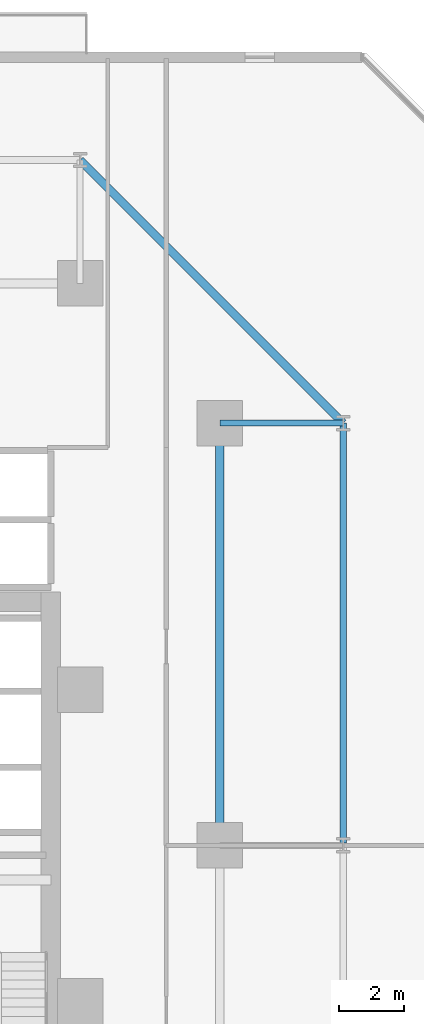
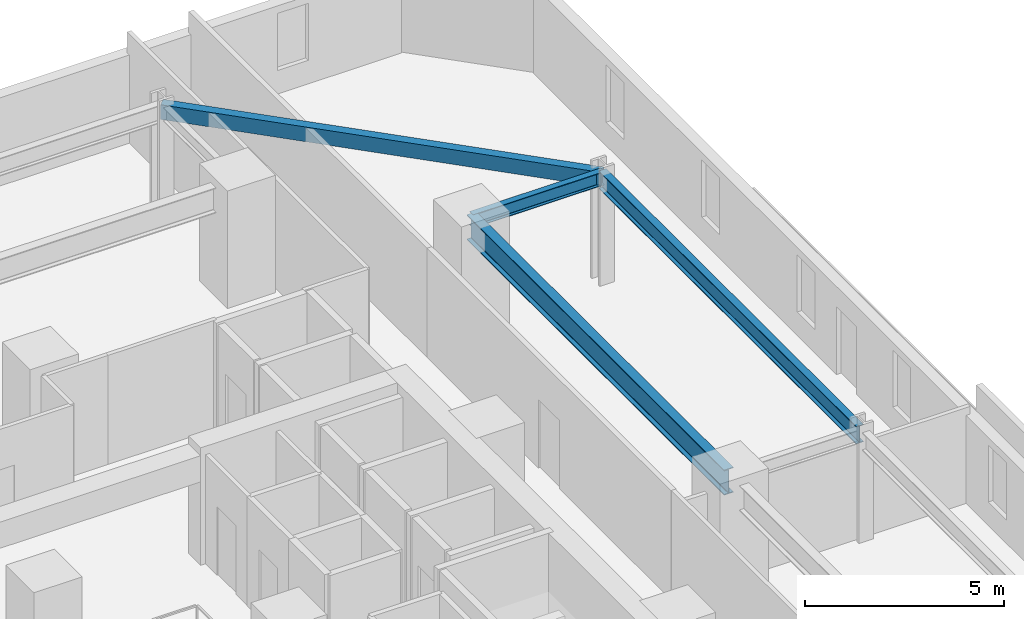
# One storey, part 17 of 34: 4 beams.
"""IFC4 building model written with IfcOpenShell, lengths in metres."""

import ifcopenshell
import ifcopenshell.guid

model = None  # the IFC model being written
_history = None  # IfcOwnerHistory: only IFC2X3 demands one
_inside = {}  # id of a spatial element -> (the spatial element, [elements in it])
_under = {}  # id of a project, library or spatial element -> (it, [spatial elements below it])
_declared = {}  # id of a project -> (the project, [libraries it declares])
_typed = {}  # id of a type object -> (the type object, [elements of that type])
_made_of = {}  # id of a material, layer set ... -> (it, [elements and type objects made of it])


def new_model(schema):
    """Start an empty IFC model of exactly this schema.

    Asked for "IFC4X3", IfcOpenShell would pick the latest addendum, in which some entities
    have other attributes; the version numbers below select the first issue.
    IFC2X3 requires an IfcOwnerHistory on every rooted entity: one is made here for all.
    """
    global model, _history
    if schema == "IFC4X3":
        model = ifcopenshell.file(schema_version=(4, 3, 0, 0))
    else:
        model = ifcopenshell.file(schema=schema)
    _inside.clear()
    _under.clear()
    _declared.clear()
    _typed.clear()
    _made_of.clear()
    _history = None
    if model.schema == "IFC2X3":
        org = make("IfcOrganization", Name="unknown")
        user = make(
            "IfcPersonAndOrganization",
            ThePerson=make("IfcPerson", FamilyName="unknown"),
            TheOrganization=org,
        )
        app = make(
            "IfcApplication",
            ApplicationDeveloper=org,
            Version="unknown",
            ApplicationFullName="unknown",
            ApplicationIdentifier="unknown",
        )
        _history = make(
            "IfcOwnerHistory",
            OwningUser=user,
            OwningApplication=app,
            ChangeAction="ADDED",
            CreationDate=0,
        )
    return model


def make(cls, **values):
    """One entity of the class cls with the attributes given. An attribute that is None is left unset."""
    return model.create_entity(
        cls, **{name: value for name, value in values.items() if value is not None}
    )


def rooted(cls, **values):
    """An entity with a GlobalId (a new one), such as an element, a storey or a relation."""
    return make(cls, GlobalId=ifcopenshell.guid.new(), OwnerHistory=_history, **values)


def si_unit(unit_type, name, prefix=None):
    """IfcSIUnit, for example si_unit("LENGTHUNIT", "METRE", prefix="MILLI")."""
    return make("IfcSIUnit", UnitType=unit_type, Prefix=prefix, Name=name)


def assignment(units):
    """IfcUnitAssignment: the units of a project."""
    return None if units is None else make("IfcUnitAssignment", Units=units)


def point(xyz):
    """IfcCartesianPoint."""
    return None if xyz is None else make("IfcCartesianPoint", Coordinates=xyz)


def direction(xyz):
    """IfcDirection."""
    return None if xyz is None else make("IfcDirection", DirectionRatios=xyz)


def frame(location, z_axis=None, x_axis=None):
    """IfcAxis2Placement3D, a coordinate frame: its origin and axes. An axis left out is left unset."""
    return make(
        "IfcAxis2Placement3D",
        Location=point(location),
        Axis=direction(z_axis),
        RefDirection=direction(x_axis),
    )


def frame_2d(location, x_axis=None):
    """IfcAxis2Placement2D, a coordinate frame in the plane: its origin and x axis."""
    return make(
        "IfcAxis2Placement2D", Location=point(location), RefDirection=direction(x_axis)
    )


def origin():
    """The frame at (0, 0, 0) with its axes left unset."""
    return frame((0.0, 0.0, 0.0))


def origin_2d():
    """The frame at (0, 0) in the plane with its x axis left unset."""
    return frame_2d((0.0, 0.0))


def place(relative_to, where):
    """IfcLocalPlacement: puts the frame where relative to a parent placement (None: the world)."""
    return make(
        "IfcLocalPlacement", PlacementRelTo=relative_to, RelativePlacement=where
    )


def context(
    kind, dimensions, precision=None, world=None, true_north=None, identifier=None
):
    """IfcGeometricRepresentationContext, for example the 3D "Model" context."""
    return make(
        "IfcGeometricRepresentationContext",
        ContextIdentifier=identifier,
        ContextType=kind,
        CoordinateSpaceDimension=dimensions,
        Precision=precision,
        WorldCoordinateSystem=world,
        TrueNorth=true_north,
    )


def subcontext(parent, identifier, kind, view, scale=None):
    """IfcGeometricRepresentationSubContext, for example "Body" below "Model"."""
    return make(
        "IfcGeometricRepresentationSubContext",
        ContextIdentifier=identifier,
        ContextType=kind,
        ParentContext=parent,
        TargetScale=scale,
        TargetView=view,
    )


def project(units=None, contexts=None):
    """IfcProject with its units and contexts."""
    return rooted(
        "IfcProject",
        Name="project",
        RepresentationContexts=contexts,
        UnitsInContext=assignment(units),
    )


def spatial(cls, under=None, at=None, **own):
    """A site, building, storey or space (cls), placed at a placement, below another one or the project."""
    s = rooted(cls, ObjectPlacement=at, **own)
    if under is not None:
        _under.setdefault(under.id(), (under, []))[1].append(s)
    return s


def profile(cls, at=None, kind="AREA", **sizes):
    """A parametric profile (cls). Its sizes go by their IFC names, for example OverallWidth=200.0."""
    return make(cls, ProfileType=kind, Position=at, **sizes)


def hollow_rectangle(**sizes):
    """IfcRectangleHollowProfileDef."""
    return profile("IfcRectangleHollowProfileDef", **sizes)


def i_section(**sizes):
    """IfcIShapeProfileDef."""
    return profile("IfcIShapeProfileDef", **sizes)


def extrude(swept, where, along, depth):
    """IfcExtrudedAreaSolid: the profile swept, set in the frame where, extruded along a direction by depth."""
    return make(
        "IfcExtrudedAreaSolid",
        SweptArea=swept,
        Position=where,
        ExtrudedDirection=direction(along),
        Depth=depth,
    )


def shape(context_of_items, identifier, shape_type, items):
    """IfcShapeRepresentation: the items that make up one representation, for example the "Body"."""
    return make(
        "IfcShapeRepresentation",
        ContextOfItems=context_of_items,
        RepresentationIdentifier=identifier,
        RepresentationType=shape_type,
        Items=items,
    )


def material(Name=None, Category=None):
    """IfcMaterial."""
    return make("IfcMaterial", Name=Name, Category=Category)


def material_profile(
    of_material, cross_section, Name=None, Category=None, Priority=None
):
    """IfcMaterialProfile: a cross section and its material."""
    return make(
        "IfcMaterialProfile",
        Name=Name,
        Material=of_material,
        Profile=cross_section,
        Priority=Priority,
        Category=Category,
    )


def profile_set(profiles, Name=None, composite=None):
    """IfcMaterialProfileSet."""
    return make(
        "IfcMaterialProfileSet",
        Name=Name,
        MaterialProfiles=profiles,
        CompositeProfile=composite,
    )


def made_of(thing, what):
    """Note that an element or type object is made of a material, layer set ...; save() writes the relation."""
    if what is not None:
        _made_of.setdefault(what.id(), (what, []))[1].append(thing)
    return thing


def type_object(cls, material=None, **own):
    """A type object (cls), such as IfcWallType, which elements share."""
    return made_of(rooted(cls, **own), material)


def element(
    cls,
    number,
    at=None,
    inside=None,
    cuts=None,
    type_object=None,
    material=None,
    context=None,
    identifier="Body",
    shape_type=None,
    held_by="IfcProductDefinitionShape",
    body=None,
    shapes=None,
    **own,
):
    """One element of the class cls, such as IfcWall. Its Tag is "e" and its number.

    at: its placement. inside: the storey or other place that contains it. cuts: it is an
    opening in that element (IfcRelVoidsElement). A single representation is given by context,
    identifier, shape_type and body (its items); several are given by shapes. held_by: the class
    of the entity that holds the representations. save() writes the other relations.
    """
    e = rooted(cls, Tag="e%d" % number, ObjectPlacement=at, **own)
    if body is not None:
        shapes = [shape(context, identifier, shape_type, body)]
    if shapes is not None:
        e.Representation = make(held_by, Representations=shapes)
    if inside is not None:
        _inside.setdefault(inside.id(), (inside, []))[1].append(e)
    if cuts is not None:
        rooted(
            "IfcRelVoidsElement", RelatingBuildingElement=cuts, RelatedOpeningElement=e
        )
    if type_object is not None:
        _typed.setdefault(type_object.id(), (type_object, []))[1].append(e)
    return made_of(e, material)


def aggregate(whole, parts):
    """IfcRelAggregates: a whole, such as a stair, and the parts it consists of."""
    return rooted("IfcRelAggregates", RelatingObject=whole, RelatedObjects=parts)


def save(model, path):
    """Write the relations noted so far, then the file.

    IfcRelAggregates (storeys below a building ...), IfcRelContainedInSpatialStructure (elements
    in a storey), IfcRelDefinesByType, IfcRelAssociatesMaterial and IfcRelDeclares: one each for
    every whole, place, type object, material and project.
    """
    for whole, parts in _under.values():
        aggregate(whole, parts)
    for where, things in _inside.values():
        rooted(
            "IfcRelContainedInSpatialStructure",
            RelatedElements=things,
            RelatingStructure=where,
        )
    for kind, things in _typed.values():
        rooted("IfcRelDefinesByType", RelatedObjects=things, RelatingType=kind)
    for what, things in _made_of.values():
        rooted("IfcRelAssociatesMaterial", RelatedObjects=things, RelatingMaterial=what)
    for by, libraries in _declared.values():
        rooted("IfcRelDeclares", RelatingContext=by, RelatedDefinitions=libraries)
    model.write(path)


model = new_model("IFC4")

# Units and contexts
model_context = context("Model", 3, precision=1e-05, world=origin(), true_north=direction((0.0, 1.0)))
body_context = subcontext(model_context, "Body", "Model", "MODEL_VIEW")
ifc_project = project(units=[si_unit("LENGTHUNIT", "METRE"), si_unit("AREAUNIT", "SQUARE_METRE"), si_unit("VOLUMEUNIT", "CUBIC_METRE"), si_unit("PLANEANGLEUNIT", "RADIAN"), si_unit("MASSUNIT", "GRAM", prefix="KILO")], contexts=[model_context])

# Site, building, storey
site_placement = place(None, origin())
site = spatial("IfcSite", under=ifc_project, at=site_placement, CompositionType="ELEMENT")
building_placement = place(site_placement, origin())
building = spatial("IfcBuilding", under=site, at=building_placement, Name="Thornwick Lancets Civic Towers", CompositionType="ELEMENT")
storey_placement = place(building_placement, frame((0.0, 0.0, 53.699951171875)))
storey = spatial("IfcBuildingStorey", under=building, at=storey_placement, Name="L13", CompositionType="ELEMENT", Elevation=53.699951171875)

# Beams
ifc_material = material(Name="Steel S355JR", Category="steel")
ifc_material_profile_1 = material_profile(ifc_material, i_section(OverallWidth=0.2119140625, OverallDepth=0.54443359375, WebThickness=0.0126953125, FlangeThickness=0.021240234375, FilletRadius=0.0126953125, at=origin_2d()), Name="UKB 533x210x122")
ifc_profile_set_1 = profile_set([ifc_material_profile_1], Name="Steel S355JR")
beam_type_1 = type_object("IfcBeamType", Name="BM_EDGE_533_122", PredefinedType="SPANDREL", material=ifc_profile_set_1)
beam_1_placement = place(storey_placement, frame((109.60009765625, 27.080078125, 3.087890625), z_axis=(0.0, 1.0, 0.0), x_axis=(-1.0, 0.0, 0.0)))
element("IfcBeam", 1, at=beam_1_placement, inside=storey, type_object=beam_type_1, Name="BM-EDGE-L13-B-S0-2", PredefinedType="SPANDREL", context=body_context, shape_type="SweptSolid", body=[
    extrude(i_section(OverallWidth=0.2119140625, OverallDepth=0.54443359375, WebThickness=0.0126953125, FlangeThickness=0.021240234375, FilletRadius=0.0126953125, at=origin_2d()), origin(), (0.0, 0.0, 1.0), 12.919921875),
])
ifc_material_profile_2 = material_profile(ifc_material, i_section(OverallWidth=0.26806640625, OverallDepth=0.769775390625, WebThickness=0.015625, FlangeThickness=0.025390625, FilletRadius=0.0166015625, at=origin_2d()), Name="UKB 762x267x197")
ifc_profile_set_2 = profile_set([ifc_material_profile_2], Name="Steel S355JR")
beam_type_2 = type_object("IfcBeamType", Name="BM_GIRD_762_197", PredefinedType="BEAM", material=ifc_profile_set_2)
beam_2_placement = place(storey_placement, frame((105.800048828125, 27.080078125, 2.97509765625), z_axis=(0.0, 1.0, 0.0), x_axis=(-1.0, 0.0, 0.0)))
element("IfcBeam", 2, at=beam_2_placement, inside=storey, type_object=beam_type_2, Name="BM-SPINE-L13-B-1-2", PredefinedType="BEAM", context=body_context, shape_type="SweptSolid", body=[
    extrude(i_section(OverallWidth=0.26806640625, OverallDepth=0.769775390625, WebThickness=0.015625, FlangeThickness=0.025390625, FilletRadius=0.0166015625, at=origin_2d()), origin(), (0.0, 0.0, 1.0), 12.919921875),
])
ifc_material_profile_3 = material_profile(ifc_material, i_section(OverallWidth=0.179443359375, OverallDepth=0.412841796875, WebThickness=0.009521484375, FlangeThickness=0.01611328125, FilletRadius=0.01025390625, at=origin_2d()), Name="UKB 406x178x74")
ifc_profile_set_3 = profile_set([ifc_material_profile_3], Name="Steel S355JR")
beam_type_3 = type_object("IfcBeamType", Name="BM_JOIST_406_74", PredefinedType="JOIST", material=ifc_profile_set_3)
beam_3_placement = place(storey_placement, frame((105.800048828125, 40.0, 3.153564453125), z_axis=(1.0, 0.0, 0.0), x_axis=(0.0, 1.0, 0.0)))
element("IfcBeam", 3, at=beam_3_placement, inside=storey, type_object=beam_type_3, Name="BM-RAD-L13-B03", PredefinedType="JOIST", context=body_context, shape_type="SweptSolid", body=[
    extrude(i_section(OverallWidth=0.179443359375, OverallDepth=0.412841796875, WebThickness=0.009521484375, FlangeThickness=0.01611328125, FilletRadius=0.01025390625, at=origin_2d()), origin(), (0.0, 0.0, 1.0), 3.800048828125),
])
ifc_material_profile_4 = material_profile(ifc_material, hollow_rectangle(XDim=0.25, YDim=0.449951171875, WallThickness=0.01611328125, at=origin_2d()), Name="RHS 450x250x16")
ifc_profile_set_4 = profile_set([ifc_material_profile_4], Name="Steel S355JR")
beam_type_4 = type_object("IfcBeamType", Name="BM_RING_RHS450", PredefinedType="BEAM", material=ifc_profile_set_4)
beam_4_placement = place(storey_placement, frame((109.60009765625, 40.0, 3.135009765625), z_axis=(-0.707106781187, 0.707106781187, 0.0), x_axis=(-0.707106781187, -0.707106781187, 0.0)))
element("IfcBeam", 4, at=beam_4_placement, inside=storey, type_object=beam_type_4, Name="BM-CHAMF-L13-B-C0", PredefinedType="BEAM", context=body_context, shape_type="SweptSolid", body=[
    extrude(hollow_rectangle(XDim=0.25, YDim=0.449951171875, WallThickness=0.01611328125, at=origin_2d()), origin(), (0.0, 0.0, 1.0), 11.455322265625),
])

save(model, "model.ifc")
